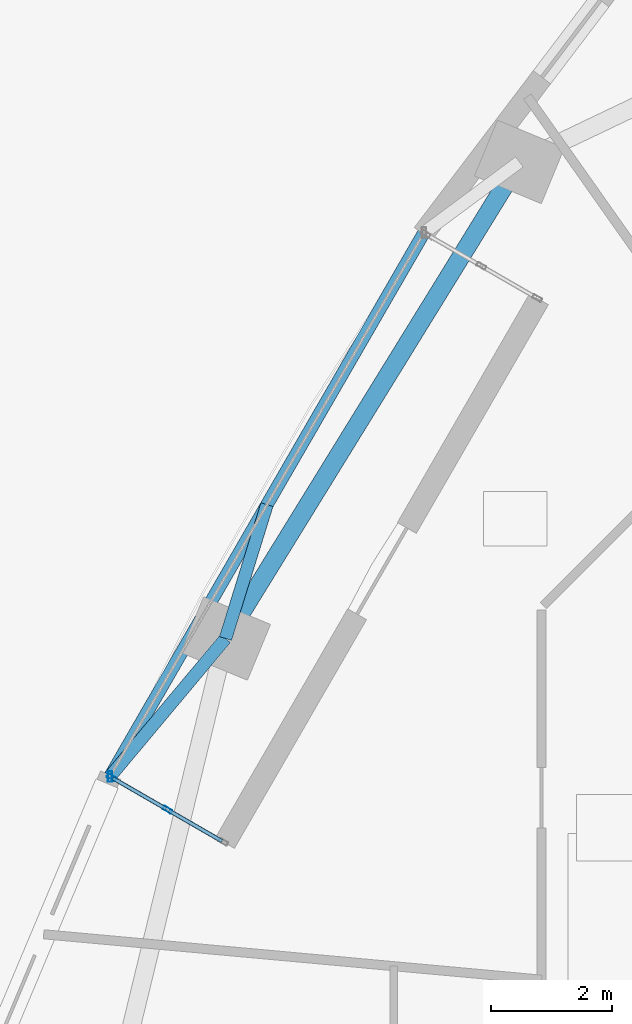
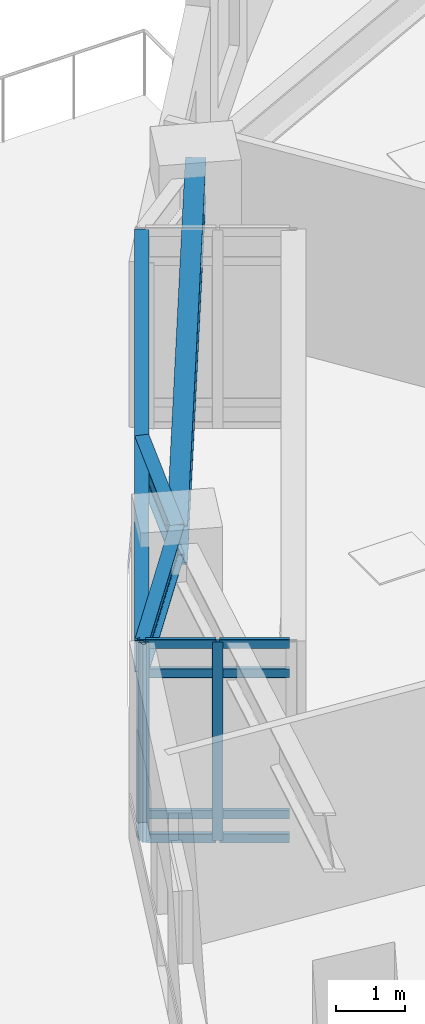
# One storey, part 3 of 15: 11 members, 4 beams, 1 element without a shape of its own.
"""IFC4 building model written with IfcOpenShell, lengths in metres."""

import ifcopenshell
import ifcopenshell.guid

model = None  # the IFC model being written
_history = None  # IfcOwnerHistory: only IFC2X3 demands one
_inside = {}  # id of a spatial element -> (the spatial element, [elements in it])
_under = {}  # id of a project, library or spatial element -> (it, [spatial elements below it])
_declared = {}  # id of a project -> (the project, [libraries it declares])
_typed = {}  # id of a type object -> (the type object, [elements of that type])
_made_of = {}  # id of a material, layer set ... -> (it, [elements and type objects made of it])


def new_model(schema):
    """Start an empty IFC model of exactly this schema.

    Asked for "IFC4X3", IfcOpenShell would pick the latest addendum, in which some entities
    have other attributes; the version numbers below select the first issue.
    IFC2X3 requires an IfcOwnerHistory on every rooted entity: one is made here for all.
    """
    global model, _history
    if schema == "IFC4X3":
        model = ifcopenshell.file(schema_version=(4, 3, 0, 0))
    else:
        model = ifcopenshell.file(schema=schema)
    _inside.clear()
    _under.clear()
    _declared.clear()
    _typed.clear()
    _made_of.clear()
    _history = None
    if model.schema == "IFC2X3":
        org = make("IfcOrganization", Name="unknown")
        user = make(
            "IfcPersonAndOrganization",
            ThePerson=make("IfcPerson", FamilyName="unknown"),
            TheOrganization=org,
        )
        app = make(
            "IfcApplication",
            ApplicationDeveloper=org,
            Version="unknown",
            ApplicationFullName="unknown",
            ApplicationIdentifier="unknown",
        )
        _history = make(
            "IfcOwnerHistory",
            OwningUser=user,
            OwningApplication=app,
            ChangeAction="ADDED",
            CreationDate=0,
        )
    return model


def make(cls, **values):
    """One entity of the class cls with the attributes given. An attribute that is None is left unset."""
    return model.create_entity(
        cls, **{name: value for name, value in values.items() if value is not None}
    )


def rooted(cls, **values):
    """An entity with a GlobalId (a new one), such as an element, a storey or a relation."""
    return make(cls, GlobalId=ifcopenshell.guid.new(), OwnerHistory=_history, **values)


def si_unit(unit_type, name, prefix=None):
    """IfcSIUnit, for example si_unit("LENGTHUNIT", "METRE", prefix="MILLI")."""
    return make("IfcSIUnit", UnitType=unit_type, Prefix=prefix, Name=name)


def assignment(units):
    """IfcUnitAssignment: the units of a project."""
    return None if units is None else make("IfcUnitAssignment", Units=units)


def point(xyz):
    """IfcCartesianPoint."""
    return None if xyz is None else make("IfcCartesianPoint", Coordinates=xyz)


def direction(xyz):
    """IfcDirection."""
    return None if xyz is None else make("IfcDirection", DirectionRatios=xyz)


def frame(location, z_axis=None, x_axis=None):
    """IfcAxis2Placement3D, a coordinate frame: its origin and axes. An axis left out is left unset."""
    return make(
        "IfcAxis2Placement3D",
        Location=point(location),
        Axis=direction(z_axis),
        RefDirection=direction(x_axis),
    )


def frame_2d(location, x_axis=None):
    """IfcAxis2Placement2D, a coordinate frame in the plane: its origin and x axis."""
    return make(
        "IfcAxis2Placement2D", Location=point(location), RefDirection=direction(x_axis)
    )


def origin():
    """The frame at (0, 0, 0) with its axes left unset."""
    return frame((0.0, 0.0, 0.0))


def origin_2d():
    """The frame at (0, 0) in the plane with its x axis left unset."""
    return frame_2d((0.0, 0.0))


def place(relative_to, where):
    """IfcLocalPlacement: puts the frame where relative to a parent placement (None: the world)."""
    return make(
        "IfcLocalPlacement", PlacementRelTo=relative_to, RelativePlacement=where
    )


def context(
    kind, dimensions, precision=None, world=None, true_north=None, identifier=None
):
    """IfcGeometricRepresentationContext, for example the 3D "Model" context."""
    return make(
        "IfcGeometricRepresentationContext",
        ContextIdentifier=identifier,
        ContextType=kind,
        CoordinateSpaceDimension=dimensions,
        Precision=precision,
        WorldCoordinateSystem=world,
        TrueNorth=true_north,
    )


def subcontext(parent, identifier, kind, view, scale=None):
    """IfcGeometricRepresentationSubContext, for example "Body" below "Model"."""
    return make(
        "IfcGeometricRepresentationSubContext",
        ContextIdentifier=identifier,
        ContextType=kind,
        ParentContext=parent,
        TargetScale=scale,
        TargetView=view,
    )


def project(units=None, contexts=None):
    """IfcProject with its units and contexts."""
    return rooted(
        "IfcProject",
        Name="project",
        RepresentationContexts=contexts,
        UnitsInContext=assignment(units),
    )


def spatial(cls, under=None, at=None, **own):
    """A site, building, storey or space (cls), placed at a placement, below another one or the project."""
    s = rooted(cls, ObjectPlacement=at, **own)
    if under is not None:
        _under.setdefault(under.id(), (under, []))[1].append(s)
    return s


def profile(cls, at=None, kind="AREA", **sizes):
    """A parametric profile (cls). Its sizes go by their IFC names, for example OverallWidth=200.0."""
    return make(cls, ProfileType=kind, Position=at, **sizes)


def hollow_rectangle(**sizes):
    """IfcRectangleHollowProfileDef."""
    return profile("IfcRectangleHollowProfileDef", **sizes)


def i_section(**sizes):
    """IfcIShapeProfileDef."""
    return profile("IfcIShapeProfileDef", **sizes)


def extrude(swept, where, along, depth):
    """IfcExtrudedAreaSolid: the profile swept, set in the frame where, extruded along a direction by depth."""
    return make(
        "IfcExtrudedAreaSolid",
        SweptArea=swept,
        Position=where,
        ExtrudedDirection=direction(along),
        Depth=depth,
    )


def shape(context_of_items, identifier, shape_type, items):
    """IfcShapeRepresentation: the items that make up one representation, for example the "Body"."""
    return make(
        "IfcShapeRepresentation",
        ContextOfItems=context_of_items,
        RepresentationIdentifier=identifier,
        RepresentationType=shape_type,
        Items=items,
    )


def material(Name=None, Category=None):
    """IfcMaterial."""
    return make("IfcMaterial", Name=Name, Category=Category)


def layer(
    of_material, thickness, ventilated=None, Name=None, Category=None, Priority=None
):
    """IfcMaterialLayer: one layer of a wall or slab, of a material (None: an air gap)."""
    return make(
        "IfcMaterialLayer",
        Material=of_material,
        LayerThickness=thickness,
        IsVentilated=ventilated,
        Name=Name,
        Category=Category,
        Priority=Priority,
    )


def layer_set(layers, Name=None):
    """IfcMaterialLayerSet."""
    return make("IfcMaterialLayerSet", MaterialLayers=layers, LayerSetName=Name)


def material_profile(
    of_material, cross_section, Name=None, Category=None, Priority=None
):
    """IfcMaterialProfile: a cross section and its material."""
    return make(
        "IfcMaterialProfile",
        Name=Name,
        Material=of_material,
        Profile=cross_section,
        Priority=Priority,
        Category=Category,
    )


def profile_set(profiles, Name=None, composite=None):
    """IfcMaterialProfileSet."""
    return make(
        "IfcMaterialProfileSet",
        Name=Name,
        MaterialProfiles=profiles,
        CompositeProfile=composite,
    )


def made_of(thing, what):
    """Note that an element or type object is made of a material, layer set ...; save() writes the relation."""
    if what is not None:
        _made_of.setdefault(what.id(), (what, []))[1].append(thing)
    return thing


def type_object(cls, material=None, **own):
    """A type object (cls), such as IfcWallType, which elements share."""
    return made_of(rooted(cls, **own), material)


def element(
    cls,
    number,
    at=None,
    inside=None,
    cuts=None,
    type_object=None,
    material=None,
    context=None,
    identifier="Body",
    shape_type=None,
    held_by="IfcProductDefinitionShape",
    body=None,
    shapes=None,
    **own,
):
    """One element of the class cls, such as IfcWall. Its Tag is "e" and its number.

    at: its placement. inside: the storey or other place that contains it. cuts: it is an
    opening in that element (IfcRelVoidsElement). A single representation is given by context,
    identifier, shape_type and body (its items); several are given by shapes. held_by: the class
    of the entity that holds the representations. save() writes the other relations.
    """
    e = rooted(cls, Tag="e%d" % number, ObjectPlacement=at, **own)
    if body is not None:
        shapes = [shape(context, identifier, shape_type, body)]
    if shapes is not None:
        e.Representation = make(held_by, Representations=shapes)
    if inside is not None:
        _inside.setdefault(inside.id(), (inside, []))[1].append(e)
    if cuts is not None:
        rooted(
            "IfcRelVoidsElement", RelatingBuildingElement=cuts, RelatedOpeningElement=e
        )
    if type_object is not None:
        _typed.setdefault(type_object.id(), (type_object, []))[1].append(e)
    return made_of(e, material)


def aggregate(whole, parts):
    """IfcRelAggregates: a whole, such as a stair, and the parts it consists of."""
    return rooted("IfcRelAggregates", RelatingObject=whole, RelatedObjects=parts)


def save(model, path):
    """Write the relations noted so far, then the file.

    IfcRelAggregates (storeys below a building ...), IfcRelContainedInSpatialStructure (elements
    in a storey), IfcRelDefinesByType, IfcRelAssociatesMaterial and IfcRelDeclares: one each for
    every whole, place, type object, material and project.
    """
    for whole, parts in _under.values():
        aggregate(whole, parts)
    for where, things in _inside.values():
        rooted(
            "IfcRelContainedInSpatialStructure",
            RelatedElements=things,
            RelatingStructure=where,
        )
    for kind, things in _typed.values():
        rooted("IfcRelDefinesByType", RelatedObjects=things, RelatingType=kind)
    for what, things in _made_of.values():
        rooted("IfcRelAssociatesMaterial", RelatedObjects=things, RelatingMaterial=what)
    for by, libraries in _declared.values():
        rooted("IfcRelDeclares", RelatingContext=by, RelatedDefinitions=libraries)
    model.write(path)


model = new_model("IFC4")

# Units and contexts
model_context = context("Model", 3, precision=1e-05, world=origin(), true_north=direction((0.0, 1.0)))
body_context = subcontext(model_context, "Body", "Model", "MODEL_VIEW")
ifc_project = project(units=[si_unit("LENGTHUNIT", "METRE"), si_unit("AREAUNIT", "SQUARE_METRE"), si_unit("VOLUMEUNIT", "CUBIC_METRE"), si_unit("PLANEANGLEUNIT", "RADIAN"), si_unit("MASSUNIT", "GRAM", prefix="KILO")], contexts=[model_context])

# Site, building, storey
site_placement = place(None, origin())
site = spatial("IfcSite", under=ifc_project, at=site_placement, CompositionType="ELEMENT")
building_placement = place(site_placement, origin())
building = spatial("IfcBuilding", under=site, at=building_placement, Name="Ndelora Gate Hotel", CompositionType="ELEMENT")
storey_placement = place(building_placement, frame((0.0, 0.0, 30.5)))
storey = spatial("IfcBuildingStorey", under=building, at=storey_placement, Name="L06", CompositionType="ELEMENT", Elevation=30.5)

# Beams
ifc_material_1 = material(Name="Steel S355", Category="steel")
ifc_material_profile_1 = material_profile(ifc_material_1, i_section(OverallWidth=0.2099609375, OverallDepth=0.550048828125, WebThickness=0.010986328125, FlangeThickness=0.01708984375, FilletRadius=0.02392578125, at=origin_2d()), Name="IPE 550")
ifc_profile_set_1 = profile_set([ifc_material_profile_1], Name="Steel S355")
beam_type_1 = type_object("IfcBeamType", Name="BM-RAD-550", PredefinedType="BEAM", material=ifc_profile_set_1)
beam_1_placement = place(storey_placement, frame((-16.016845703125, 6.634521484375, 3.22509765625), z_axis=(0.295985494435, 0.955192434583, 0.0), x_axis=(-0.955192434583, 0.295985494435, 0.0)))
element("IfcBeam", 1, at=beam_1_placement, inside=storey, type_object=beam_type_1, Name="L06 Sky-Garden Loggia Column Bracket 2", PredefinedType="BEAM", context=body_context, shape_type="SweptSolid", body=[
    extrude(i_section(OverallWidth=0.2099609375, OverallDepth=0.550048828125, WebThickness=0.010986328125, FlangeThickness=0.01708984375, FilletRadius=0.02392578125, at=origin_2d()), origin(), (0.0, 0.0, 1.0), 2.3203125),
])
beam_2_placement = place(storey_placement, frame((-16.016845703125, 6.634521484375, 3.22509765625), z_axis=(-0.641689214339, -0.766964765945, 0.0), x_axis=(0.766964765945, -0.641689214339, 0.0)))
element("IfcBeam", 2, at=beam_2_placement, inside=storey, type_object=beam_type_1, Name="L06 Sky-Garden Loggia Column Bracket 3", PredefinedType="BEAM", context=body_context, shape_type="SweptSolid", body=[
    extrude(i_section(OverallWidth=0.2099609375, OverallDepth=0.550048828125, WebThickness=0.010986328125, FlangeThickness=0.01708984375, FilletRadius=0.02392578125, at=origin_2d()), origin(), (0.0, 0.0, 1.0), 2.981689453125),
])
beam_3_placement = place(storey_placement, frame((-12.730224609375, 13.354248046875, 3.22509765625), z_axis=(-0.499999493275, -0.866025696342, 0.0), x_axis=(0.866025696342, -0.499999493275, 0.0)))
element("IfcBeam", 3, at=beam_3_placement, inside=storey, type_object=beam_type_1, Name="L06 Sky-Garden Weather Canopy Edge Beam", PredefinedType="BEAM", context=body_context, shape_type="SweptSolid", body=[
    extrude(i_section(OverallWidth=0.2099609375, OverallDepth=0.550048828125, WebThickness=0.010986328125, FlangeThickness=0.01708984375, FilletRadius=0.02392578125, at=origin_2d()), origin(), (0.0, 0.0, 1.0), 10.39990234375),
])
ifc_material_profile_2 = material_profile(ifc_material_1, i_section(OverallWidth=0.300048828125, OverallDepth=0.699951171875, WebThickness=0.01708984375, FlangeThickness=0.031982421875, FilletRadius=0.027099609375, at=origin_2d()), Name="HEB 700")
ifc_profile_set_2 = profile_set([ifc_material_profile_2], Name="Steel S355")
beam_type_2 = type_object("IfcBeamType", Name="BM-RING-700", PredefinedType="SPANDREL", material=ifc_profile_set_2)
beam_4_placement = place(storey_placement, frame((-11.1484375, 14.529052734375, 3.14990234375), z_axis=(-0.524897602516, -0.851165381623, 0.0), x_axis=(0.851165381623, -0.524897602516, 0.0)))
element("IfcBeam", 4, at=beam_4_placement, inside=storey, type_object=beam_type_2, Name="L06 Perimeter Spandrel Girder 2", PredefinedType="SPANDREL", context=body_context, shape_type="SweptSolid", body=[
    extrude(i_section(OverallWidth=0.300048828125, OverallDepth=0.699951171875, WebThickness=0.01708984375, FlangeThickness=0.031982421875, FilletRadius=0.027099609375, at=origin_2d()), origin(), (0.0, 0.0, 1.0), 9.27490234375),
])

# Curtain wall, members
ifc_material_2 = material(Name="Bronze Anodised Unitised Aluminium and Low-E Glass", Category="aluminium")
ifc_layer = layer(ifc_material_2, 0.199951171875)
ifc_layer_set = layer_set([ifc_layer], Name="Bronze Anodised Unitised Aluminium and Low-E Glass")
curtain_wall_type = type_object("IfcCurtainWallType", Name="CW-SYS-3", PredefinedType="NOTDEFINED", material=ifc_layer_set)
curtain_wall_placement = place(storey_placement, origin())
curtain_wall = element("IfcCurtainWall", 5, at=curtain_wall_placement, inside=storey, type_object=curtain_wall_type, Name="L06 Sky-Garden Loggia Side Curtain Wall CW3-2", PredefinedType="NOTDEFINED")
ifc_material_3 = material(Name="Bronze Anodised Aluminium 6063-T6", Category="aluminium")
ifc_material_profile_3 = material_profile(ifc_material_3, hollow_rectangle(XDim=0.06494140625, YDim=0.159912109375, WallThickness=0.00390625, InnerFilletRadius=0.00390625, OuterFilletRadius=0.008056640625, at=origin_2d()), Name="ALU 160x65x4")
ifc_profile_set_3 = profile_set([ifc_material_profile_3], Name="Bronze Anodised Aluminium 6063-T6")
member_type_1 = type_object("IfcMemberType", Name="MB-CW-MUL150", PredefinedType="MULLION", material=ifc_profile_set_3)
member_1_placement = place(storey_placement, frame((-17.902099609375, 4.331298828125, -0.00390625), z_axis=(0.0, 0.0, 1.0), x_axis=(0.499991317892, 0.866030416344, 0.0)))
member_1 = element("IfcMember", 6, at=member_1_placement, type_object=member_type_1, Name="CW3 mullion 1", PredefinedType="MULLION", context=body_context, shape_type="SweptSolid", body=[
    extrude(hollow_rectangle(XDim=0.06494140625, YDim=0.159912109375, WallThickness=0.00390625, InnerFilletRadius=0.00390625, OuterFilletRadius=0.008056640625, at=origin_2d()), origin(), (0.0, 0.0, 1.0), 3.5078125),
])
member_2_placement = place(storey_placement, frame((-16.9775390625, 3.797607421875, -0.00390625), z_axis=(0.0, 0.0, 1.0), x_axis=(0.499991317892, 0.866030416344, 0.0)))
member_2 = element("IfcMember", 7, at=member_2_placement, type_object=member_type_1, Name="CW3 mullion 2", PredefinedType="MULLION", context=body_context, shape_type="SweptSolid", body=[
    extrude(hollow_rectangle(XDim=0.06494140625, YDim=0.159912109375, WallThickness=0.00390625, InnerFilletRadius=0.00390625, OuterFilletRadius=0.008056640625, at=origin_2d()), origin(), (0.0, 0.0, 1.0), 3.5078125),
])
ifc_material_profile_4 = material_profile(ifc_material_3, hollow_rectangle(XDim=0.070068359375, YDim=0.179931640625, WallThickness=0.0048828125, InnerFilletRadius=0.0048828125, OuterFilletRadius=0.010009765625, at=origin_2d()), Name="ALU 180x70x5")
ifc_profile_set_4 = profile_set([ifc_material_profile_4], Name="Bronze Anodised Aluminium 6063-T6")
member_type_2 = type_object("IfcMemberType", Name="MB-CW-MUL180", PredefinedType="MULLION", material=ifc_profile_set_4)
member_3_placement = place(storey_placement, frame((-17.93017578125, 4.34765625, 0.0), z_axis=(0.0, 0.0, 1.0), x_axis=(1.0, 0.0, 0.0)))
member_3 = element("IfcMember", 8, at=member_3_placement, type_object=member_type_2, Name="L06 Sky-Garden Loggia Corner Mullion Post 2", PredefinedType="MULLION", context=body_context, shape_type="SweptSolid", body=[
    extrude(hollow_rectangle(XDim=0.070068359375, YDim=0.179931640625, WallThickness=0.0048828125, InnerFilletRadius=0.0048828125, OuterFilletRadius=0.010009765625, at=origin_2d()), origin(), (0.0, 0.0, 1.0), 3.5),
])
ifc_material_profile_5 = material_profile(ifc_material_3, hollow_rectangle(XDim=0.06494140625, YDim=0.159912109375, WallThickness=0.00390625, InnerFilletRadius=0.00390625, OuterFilletRadius=0.008056640625, at=origin_2d()), Name="ALU 160x65x4")
ifc_profile_set_5 = profile_set([ifc_material_profile_5], Name="Bronze Anodised Aluminium 6063-T6")
member_type_3 = type_object("IfcMemberType", Name="MB-CW-TRN150", PredefinedType="USERDEFINED", material=ifc_profile_set_5)
member_4_placement = place(storey_placement, frame((-17.879150390625, 4.318115234375, 0.032470703125), z_axis=(0.866013277291, -0.500021003115, 0.0), x_axis=(0.500021003115, 0.866013277291, 0.0)))
member_4 = element("IfcMember", 9, at=member_4_placement, type_object=member_type_3, Name="CW3 transom 1.1", ObjectType="TRANSOM", PredefinedType="USERDEFINED", context=body_context, shape_type="SweptSolid", body=[
    extrude(hollow_rectangle(XDim=0.06494140625, YDim=0.159912109375, WallThickness=0.00390625, InnerFilletRadius=0.00390625, OuterFilletRadius=0.008056640625, at=origin_2d()), origin(), (0.0, 0.0, 1.0), 1.0146484375),
])
member_5_placement = place(storey_placement, frame((-17.879150390625, 4.318115234375, 0.449951171875), z_axis=(0.866013277291, -0.500021003115, 0.0), x_axis=(0.500021003115, 0.866013277291, 0.0)))
member_5 = element("IfcMember", 10, at=member_5_placement, type_object=member_type_3, Name="CW3 transom 1.2", ObjectType="TRANSOM", PredefinedType="USERDEFINED", context=body_context, shape_type="SweptSolid", body=[
    extrude(hollow_rectangle(XDim=0.06494140625, YDim=0.159912109375, WallThickness=0.00390625, InnerFilletRadius=0.00390625, OuterFilletRadius=0.008056640625, at=origin_2d()), origin(), (0.0, 0.0, 1.0), 1.0146484375),
])
member_6_placement = place(storey_placement, frame((-17.879150390625, 4.318115234375, 2.949951171875), z_axis=(0.866013277291, -0.500021003115, 0.0), x_axis=(0.500021003115, 0.866013277291, 0.0)))
member_6 = element("IfcMember", 11, at=member_6_placement, type_object=member_type_3, Name="CW3 transom 1.3", ObjectType="TRANSOM", PredefinedType="USERDEFINED", context=body_context, shape_type="SweptSolid", body=[
    extrude(hollow_rectangle(XDim=0.06494140625, YDim=0.159912109375, WallThickness=0.00390625, InnerFilletRadius=0.00390625, OuterFilletRadius=0.008056640625, at=origin_2d()), origin(), (0.0, 0.0, 1.0), 1.0146484375),
])
member_7_placement = place(storey_placement, frame((-17.879150390625, 4.318115234375, 3.467529296875), z_axis=(0.866013277291, -0.500021003115, 0.0), x_axis=(0.500021003115, 0.866013277291, 0.0)))
member_7 = element("IfcMember", 12, at=member_7_placement, type_object=member_type_3, Name="CW3 transom 1.4", ObjectType="TRANSOM", PredefinedType="USERDEFINED", context=body_context, shape_type="SweptSolid", body=[
    extrude(hollow_rectangle(XDim=0.06494140625, YDim=0.159912109375, WallThickness=0.00390625, InnerFilletRadius=0.00390625, OuterFilletRadius=0.008056640625, at=origin_2d()), origin(), (0.0, 0.0, 1.0), 1.0146484375),
])
member_8_placement = place(storey_placement, frame((-16.95458984375, 3.784423828125, 0.032470703125), z_axis=(0.866013277291, -0.500021003115, 0.0), x_axis=(0.500021003115, 0.866013277291, 0.0)))
member_8 = element("IfcMember", 13, at=member_8_placement, type_object=member_type_3, Name="CW3 transom 2.1", ObjectType="TRANSOM", PredefinedType="USERDEFINED", context=body_context, shape_type="SweptSolid", body=[
    extrude(hollow_rectangle(XDim=0.06494140625, YDim=0.159912109375, WallThickness=0.00390625, InnerFilletRadius=0.00390625, OuterFilletRadius=0.008056640625, at=origin_2d()), origin(), (0.0, 0.0, 1.0), 1.0146484375),
])
member_9_placement = place(storey_placement, frame((-16.95458984375, 3.784423828125, 0.449951171875), z_axis=(0.866013277291, -0.500021003115, 0.0), x_axis=(0.500021003115, 0.866013277291, 0.0)))
member_9 = element("IfcMember", 14, at=member_9_placement, type_object=member_type_3, Name="CW3 transom 2.2", ObjectType="TRANSOM", PredefinedType="USERDEFINED", context=body_context, shape_type="SweptSolid", body=[
    extrude(hollow_rectangle(XDim=0.06494140625, YDim=0.159912109375, WallThickness=0.00390625, InnerFilletRadius=0.00390625, OuterFilletRadius=0.008056640625, at=origin_2d()), origin(), (0.0, 0.0, 1.0), 1.0146484375),
])
member_10_placement = place(storey_placement, frame((-16.95458984375, 3.784423828125, 2.949951171875), z_axis=(0.866013277291, -0.500021003115, 0.0), x_axis=(0.500021003115, 0.866013277291, 0.0)))
member_10 = element("IfcMember", 15, at=member_10_placement, type_object=member_type_3, Name="CW3 transom 2.3", ObjectType="TRANSOM", PredefinedType="USERDEFINED", context=body_context, shape_type="SweptSolid", body=[
    extrude(hollow_rectangle(XDim=0.06494140625, YDim=0.159912109375, WallThickness=0.00390625, InnerFilletRadius=0.00390625, OuterFilletRadius=0.008056640625, at=origin_2d()), origin(), (0.0, 0.0, 1.0), 1.0146484375),
])
member_11_placement = place(storey_placement, frame((-16.95458984375, 3.784423828125, 3.467529296875), z_axis=(0.866013277291, -0.500021003115, 0.0), x_axis=(0.500021003115, 0.866013277291, 0.0)))
member_11 = element("IfcMember", 16, at=member_11_placement, type_object=member_type_3, Name="CW3 transom 2.4", ObjectType="TRANSOM", PredefinedType="USERDEFINED", context=body_context, shape_type="SweptSolid", body=[
    extrude(hollow_rectangle(XDim=0.06494140625, YDim=0.159912109375, WallThickness=0.00390625, InnerFilletRadius=0.00390625, OuterFilletRadius=0.008056640625, at=origin_2d()), origin(), (0.0, 0.0, 1.0), 1.0146484375),
])
aggregate(curtain_wall, [member_1, member_2, member_4, member_5, member_6, member_7, member_8, member_9, member_10, member_11, member_3])

save(model, "model.ifc")
